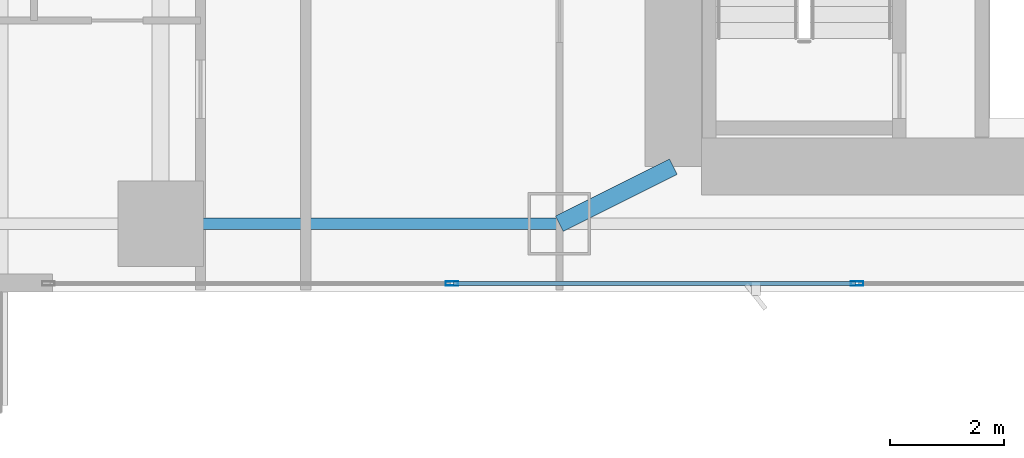
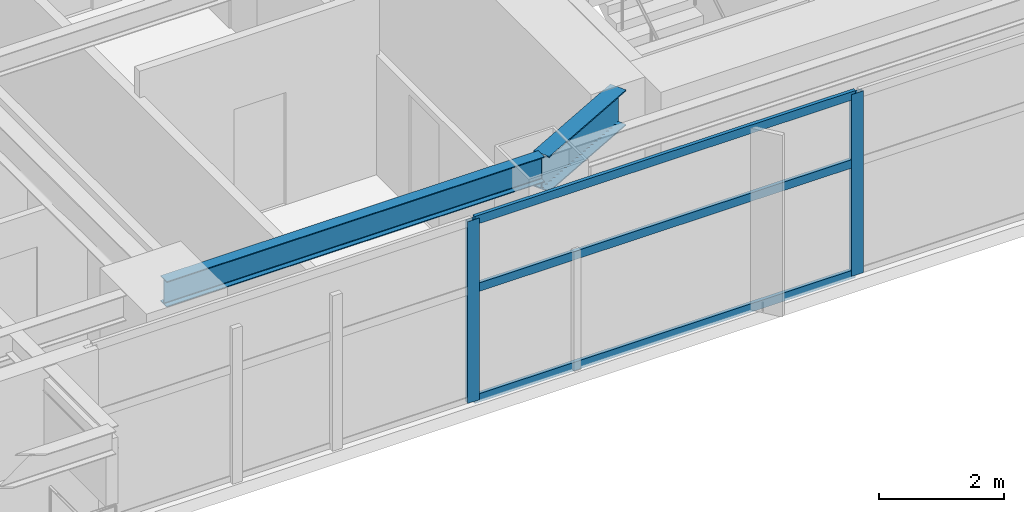
# One storey, part 6 of 30: 5 members, 2 beams, 1 element without a shape of its own.
"""IFC4 building model written with IfcOpenShell, lengths in metres."""

from ifc_helpers import new_model, si_unit, direction, frame, origin, origin_2d, place, context, subcontext, project, spatial, hollow_rectangle, i_section, extrude, material, layer, layer_set, material_profile, profile_set, type_object, element, aggregate, save


model = new_model("IFC4")

# Units and contexts
model_context = context("Model", 3, precision=1e-05, world=origin(), true_north=direction((0.0, 1.0)))
body_context = subcontext(model_context, "Body", "Model", "MODEL_VIEW")
ifc_project = project(units=[si_unit("LENGTHUNIT", "METRE"), si_unit("AREAUNIT", "SQUARE_METRE"), si_unit("VOLUMEUNIT", "CUBIC_METRE"), si_unit("PLANEANGLEUNIT", "RADIAN"), si_unit("MASSUNIT", "GRAM", prefix="KILO")], contexts=[model_context])

# Site, building, storey
site_placement = place(None, origin())
site = spatial("IfcSite", under=ifc_project, at=site_placement, CompositionType="ELEMENT")
building_placement = place(site_placement, origin())
building = spatial("IfcBuilding", under=site, at=building_placement, Name="Calvorn Quay Hotel", CompositionType="ELEMENT")
storey_placement = place(building_placement, frame((0.0, 0.0, 27.0)))
storey = spatial("IfcBuildingStorey", under=building, at=storey_placement, Name="L05", CompositionType="ELEMENT", Elevation=27.0)

# Beams
ifc_material_1 = material(Name="Steel Q390GJC", Category="steel")
ifc_material_profile_1 = material_profile(ifc_material_1, i_section(OverallWidth=0.300048828125, OverallDepth=0.699951171875, WebThickness=0.012939453125, FlangeThickness=0.02392578125, FilletRadius=0.02392578125, at=origin_2d()), Name="HN700x300x13x24")
ifc_profile_set_1 = profile_set([ifc_material_profile_1], Name="Steel Q390GJC")
beam_type_1 = type_object("IfcBeamType", Name="BM-GIRD-MAIN", PredefinedType="BEAM", material=ifc_profile_set_1)
beam_1_placement = place(storey_placement, frame((19.60009765625, 3.60009765625, 3.18994140625), z_axis=(0.894427191, 0.4472135955, 0.0), x_axis=(-0.4472135955, 0.894427191, 0.0)))
element("IfcBeam", 1, at=beam_1_placement, inside=storey, type_object=beam_type_1, Name="Beam BG-L05-S2", PredefinedType="BEAM", context=body_context, shape_type="SweptSolid", body=[
    extrude(i_section(OverallWidth=0.300048828125, OverallDepth=0.699951171875, WebThickness=0.012939453125, FlangeThickness=0.02392578125, FilletRadius=0.02392578125, at=origin_2d()), origin(), (0.0, 0.0, 1.0), 2.236083984375),
])
ifc_material_2 = material(Name="Steel Q355B", Category="steel")
ifc_material_profile_2 = material_profile(ifc_material_2, i_section(OverallWidth=0.199951171875, OverallDepth=0.5, WebThickness=0.010009765625, FlangeThickness=0.01611328125, FilletRadius=0.01611328125, at=origin_2d()), Name="HN500x200x10x16")
ifc_profile_set_2 = profile_set([ifc_material_profile_2], Name="Steel Q355B")
beam_type_2 = type_object("IfcBeamType", Name="BM-SPANDREL-Z1", PredefinedType="SPANDREL", material=ifc_profile_set_2)
beam_2_placement = place(storey_placement, frame((12.60009765625, 3.60009765625, 3.2900390625), z_axis=(1.0, 0.0, 0.0), x_axis=(0.0, 1.0, 0.0)))
element("IfcBeam", 2, at=beam_2_placement, inside=storey, type_object=beam_type_2, Name="Beam BSP-L05-S2", PredefinedType="SPANDREL", context=body_context, shape_type="SweptSolid", body=[
    extrude(i_section(OverallWidth=0.199951171875, OverallDepth=0.5, WebThickness=0.010009765625, FlangeThickness=0.01611328125, FilletRadius=0.01611328125, at=origin_2d()), origin(), (0.0, 0.0, 1.0), 7.0),
])

# Curtain wall, members
ifc_material_3 = material(Name="Pale Anodised Aluminium and Low-E Glass", Category="aluminium")
ifc_layer = layer(ifc_material_3, 0.219970703125)
ifc_layer_set = layer_set([ifc_layer], Name="CW-SYS-Z1")
curtain_wall_type = type_object("IfcCurtainWallType", Name="CW-SYS-Z1", PredefinedType="NOTDEFINED", material=ifc_layer_set)
curtain_wall_placement = place(storey_placement, origin())
curtain_wall = element("IfcCurtainWall", 3, at=curtain_wall_placement, inside=storey, type_object=curtain_wall_type, Name="Tower South Waterfront Curtain Wall (L05)", PredefinedType="NOTDEFINED")
ifc_material_4 = material(Name="Pale Anodised Aluminium 6063-T6", Category="aluminium")
ifc_material_profile_3 = material_profile(ifc_material_4, hollow_rectangle(XDim=0.074951171875, YDim=0.219970703125, WallThickness=0.00439453125, at=origin_2d()), Name="ALU-M220x75x4.5")
ifc_profile_set_3 = profile_set([ifc_material_profile_3], Name="Pale Anodised Aluminium 6063-T6")
member_type_1 = type_object("IfcMemberType", Name="CW-SYS-Z1-MUL", PredefinedType="MULLION", material=ifc_profile_set_3)
member_1_placement = place(storey_placement, frame((17.71435546875, 2.550048828125, 0.0), z_axis=(0.0, 0.0, 1.0), x_axis=(0.0, 1.0, 0.0)))
member_1 = element("IfcMember", 4, at=member_1_placement, type_object=member_type_1, Name="CW-L05-S mullion 2", PredefinedType="MULLION", context=body_context, shape_type="SweptSolid", body=[
    extrude(hollow_rectangle(XDim=0.074951171875, YDim=0.219970703125, WallThickness=0.00439453125, at=origin_2d()), origin(), (0.0, 0.0, 1.0), 3.56005859375),
])
member_2_placement = place(storey_placement, frame((24.82861328125, 2.550048828125, 0.0), z_axis=(0.0, 0.0, 1.0), x_axis=(0.0, 1.0, 0.0)))
member_2 = element("IfcMember", 5, at=member_2_placement, type_object=member_type_1, Name="CW-L05-S mullion 3", PredefinedType="MULLION", context=body_context, shape_type="SweptSolid", body=[
    extrude(hollow_rectangle(XDim=0.074951171875, YDim=0.219970703125, WallThickness=0.00439453125, at=origin_2d()), origin(), (0.0, 0.0, 1.0), 3.56005859375),
])
ifc_material_5 = material(Name="Pale Anodised Aluminium 6063-T6", Category="aluminium")
ifc_material_profile_4 = material_profile(ifc_material_5, hollow_rectangle(XDim=0.06494140625, YDim=0.1650390625, WallThickness=0.00341796875, at=origin_2d()), Name="ALU-T165x65x3.5")
ifc_profile_set_4 = profile_set([ifc_material_profile_4], Name="Pale Anodised Aluminium 6063-T6")
member_type_2 = type_object("IfcMemberType", Name="CW-SYS-Z1-TRN", PredefinedType="USERDEFINED", material=ifc_profile_set_4)
member_3_placement = place(storey_placement, frame((17.744384765625, 2.550048828125, 0.030029296875), z_axis=(1.0, 0.0, 0.0), x_axis=(0.0, 1.0, 0.0)))
member_3 = element("IfcMember", 6, at=member_3_placement, type_object=member_type_2, Name="CW-L05-S transom 2.1", ObjectType="TRANSOM", PredefinedType="USERDEFINED", context=body_context, shape_type="SweptSolid", body=[
    extrude(hollow_rectangle(XDim=0.06494140625, YDim=0.1650390625, WallThickness=0.00341796875, at=origin_2d()), origin(), (0.0, 0.0, 1.0), 7.05419921875),
])
member_4_placement = place(storey_placement, frame((17.744384765625, 2.550048828125, 2.199951171875), z_axis=(1.0, 0.0, 0.0), x_axis=(0.0, 1.0, 0.0)))
member_4 = element("IfcMember", 7, at=member_4_placement, type_object=member_type_2, Name="CW-L05-S transom 2.2", ObjectType="TRANSOM", PredefinedType="USERDEFINED", context=body_context, shape_type="SweptSolid", body=[
    extrude(hollow_rectangle(XDim=0.06494140625, YDim=0.1650390625, WallThickness=0.00341796875, at=origin_2d()), origin(), (0.0, 0.0, 1.0), 7.05419921875),
])
member_5_placement = place(storey_placement, frame((17.744384765625, 2.550048828125, 3.530029296875), z_axis=(1.0, 0.0, 0.0), x_axis=(0.0, 1.0, 0.0)))
member_5 = element("IfcMember", 8, at=member_5_placement, type_object=member_type_2, Name="CW-L05-S transom 2.3", ObjectType="TRANSOM", PredefinedType="USERDEFINED", context=body_context, shape_type="SweptSolid", body=[
    extrude(hollow_rectangle(XDim=0.06494140625, YDim=0.1650390625, WallThickness=0.00341796875, at=origin_2d()), origin(), (0.0, 0.0, 1.0), 7.05419921875),
])
aggregate(curtain_wall, [member_1, member_2, member_3, member_4, member_5])

save(model, "model.ifc")
